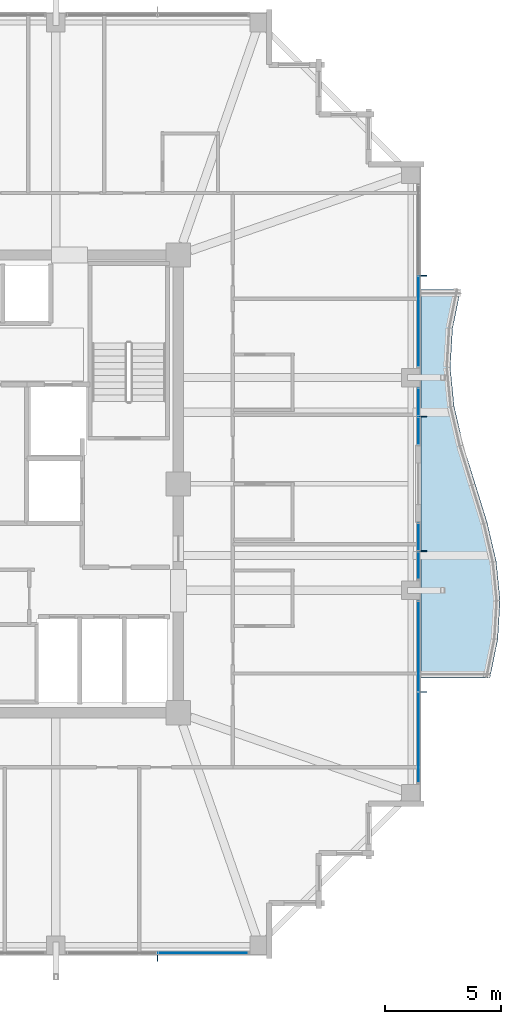
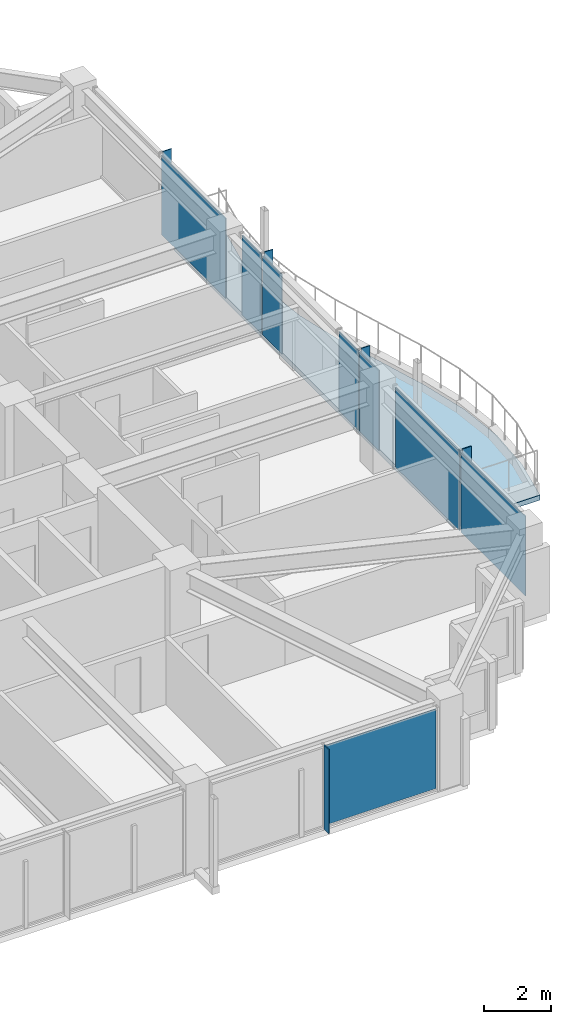
# One storey, part 26 of 35: 13 plates, 1 slab, 5 elements without a shape of their own.
"""IFC4 building model written with IfcOpenShell, lengths in metres."""

import ifcopenshell
import ifcopenshell.guid

model = None  # the IFC model being written
_history = None  # IfcOwnerHistory: only IFC2X3 demands one
_inside = {}  # id of a spatial element -> (the spatial element, [elements in it])
_under = {}  # id of a project, library or spatial element -> (it, [spatial elements below it])
_declared = {}  # id of a project -> (the project, [libraries it declares])
_typed = {}  # id of a type object -> (the type object, [elements of that type])
_made_of = {}  # id of a material, layer set ... -> (it, [elements and type objects made of it])


def new_model(schema):
    """Start an empty IFC model of exactly this schema.

    Asked for "IFC4X3", IfcOpenShell would pick the latest addendum, in which some entities
    have other attributes; the version numbers below select the first issue.
    IFC2X3 requires an IfcOwnerHistory on every rooted entity: one is made here for all.
    """
    global model, _history
    if schema == "IFC4X3":
        model = ifcopenshell.file(schema_version=(4, 3, 0, 0))
    else:
        model = ifcopenshell.file(schema=schema)
    _inside.clear()
    _under.clear()
    _declared.clear()
    _typed.clear()
    _made_of.clear()
    _history = None
    if model.schema == "IFC2X3":
        org = make("IfcOrganization", Name="unknown")
        user = make(
            "IfcPersonAndOrganization",
            ThePerson=make("IfcPerson", FamilyName="unknown"),
            TheOrganization=org,
        )
        app = make(
            "IfcApplication",
            ApplicationDeveloper=org,
            Version="unknown",
            ApplicationFullName="unknown",
            ApplicationIdentifier="unknown",
        )
        _history = make(
            "IfcOwnerHistory",
            OwningUser=user,
            OwningApplication=app,
            ChangeAction="ADDED",
            CreationDate=0,
        )
    return model


def make(cls, **values):
    """One entity of the class cls with the attributes given. An attribute that is None is left unset."""
    return model.create_entity(
        cls, **{name: value for name, value in values.items() if value is not None}
    )


def rooted(cls, **values):
    """An entity with a GlobalId (a new one), such as an element, a storey or a relation."""
    return make(cls, GlobalId=ifcopenshell.guid.new(), OwnerHistory=_history, **values)


def si_unit(unit_type, name, prefix=None):
    """IfcSIUnit, for example si_unit("LENGTHUNIT", "METRE", prefix="MILLI")."""
    return make("IfcSIUnit", UnitType=unit_type, Prefix=prefix, Name=name)


def assignment(units):
    """IfcUnitAssignment: the units of a project."""
    return None if units is None else make("IfcUnitAssignment", Units=units)


def point(xyz):
    """IfcCartesianPoint."""
    return None if xyz is None else make("IfcCartesianPoint", Coordinates=xyz)


def direction(xyz):
    """IfcDirection."""
    return None if xyz is None else make("IfcDirection", DirectionRatios=xyz)


def frame(location, z_axis=None, x_axis=None):
    """IfcAxis2Placement3D, a coordinate frame: its origin and axes. An axis left out is left unset."""
    return make(
        "IfcAxis2Placement3D",
        Location=point(location),
        Axis=direction(z_axis),
        RefDirection=direction(x_axis),
    )


def frame_2d(location, x_axis=None):
    """IfcAxis2Placement2D, a coordinate frame in the plane: its origin and x axis."""
    return make(
        "IfcAxis2Placement2D", Location=point(location), RefDirection=direction(x_axis)
    )


def origin():
    """The frame at (0, 0, 0) with its axes left unset."""
    return frame((0.0, 0.0, 0.0))


def origin_2d():
    """The frame at (0, 0) in the plane with its x axis left unset."""
    return frame_2d((0.0, 0.0))


def place(relative_to, where):
    """IfcLocalPlacement: puts the frame where relative to a parent placement (None: the world)."""
    return make(
        "IfcLocalPlacement", PlacementRelTo=relative_to, RelativePlacement=where
    )


def context(
    kind, dimensions, precision=None, world=None, true_north=None, identifier=None
):
    """IfcGeometricRepresentationContext, for example the 3D "Model" context."""
    return make(
        "IfcGeometricRepresentationContext",
        ContextIdentifier=identifier,
        ContextType=kind,
        CoordinateSpaceDimension=dimensions,
        Precision=precision,
        WorldCoordinateSystem=world,
        TrueNorth=true_north,
    )


def subcontext(parent, identifier, kind, view, scale=None):
    """IfcGeometricRepresentationSubContext, for example "Body" below "Model"."""
    return make(
        "IfcGeometricRepresentationSubContext",
        ContextIdentifier=identifier,
        ContextType=kind,
        ParentContext=parent,
        TargetScale=scale,
        TargetView=view,
    )


def project(units=None, contexts=None):
    """IfcProject with its units and contexts."""
    return rooted(
        "IfcProject",
        Name="project",
        RepresentationContexts=contexts,
        UnitsInContext=assignment(units),
    )


def spatial(cls, under=None, at=None, **own):
    """A site, building, storey or space (cls), placed at a placement, below another one or the project."""
    s = rooted(cls, ObjectPlacement=at, **own)
    if under is not None:
        _under.setdefault(under.id(), (under, []))[1].append(s)
    return s


def polyline(points):
    """IfcPolyline through the points."""
    return make("IfcPolyline", Points=[point(p) for p in points])


def profile(cls, at=None, kind="AREA", **sizes):
    """A parametric profile (cls). Its sizes go by their IFC names, for example OverallWidth=200.0."""
    return make(cls, ProfileType=kind, Position=at, **sizes)


def rectangle(**sizes):
    """IfcRectangleProfileDef."""
    return profile("IfcRectangleProfileDef", **sizes)


def outline(outer, holes=None, kind="AREA"):
    """IfcArbitraryClosedProfileDef: a profile drawn as a closed curve; with holes, ...WithVoids."""
    if holes is None:
        return make("IfcArbitraryClosedProfileDef", ProfileType=kind, OuterCurve=outer)
    return make(
        "IfcArbitraryProfileDefWithVoids",
        ProfileType=kind,
        OuterCurve=outer,
        InnerCurves=holes,
    )


def extrude(swept, where, along, depth):
    """IfcExtrudedAreaSolid: the profile swept, set in the frame where, extruded along a direction by depth."""
    return make(
        "IfcExtrudedAreaSolid",
        SweptArea=swept,
        Position=where,
        ExtrudedDirection=direction(along),
        Depth=depth,
    )


def shape(context_of_items, identifier, shape_type, items):
    """IfcShapeRepresentation: the items that make up one representation, for example the "Body"."""
    return make(
        "IfcShapeRepresentation",
        ContextOfItems=context_of_items,
        RepresentationIdentifier=identifier,
        RepresentationType=shape_type,
        Items=items,
    )


def material(Name=None, Category=None):
    """IfcMaterial."""
    return make("IfcMaterial", Name=Name, Category=Category)


def layer(
    of_material, thickness, ventilated=None, Name=None, Category=None, Priority=None
):
    """IfcMaterialLayer: one layer of a wall or slab, of a material (None: an air gap)."""
    return make(
        "IfcMaterialLayer",
        Material=of_material,
        LayerThickness=thickness,
        IsVentilated=ventilated,
        Name=Name,
        Category=Category,
        Priority=Priority,
    )


def layer_set(layers, Name=None):
    """IfcMaterialLayerSet."""
    return make("IfcMaterialLayerSet", MaterialLayers=layers, LayerSetName=Name)


def made_of(thing, what):
    """Note that an element or type object is made of a material, layer set ...; save() writes the relation."""
    if what is not None:
        _made_of.setdefault(what.id(), (what, []))[1].append(thing)
    return thing


def type_object(cls, material=None, **own):
    """A type object (cls), such as IfcWallType, which elements share."""
    return made_of(rooted(cls, **own), material)


def element(
    cls,
    number,
    at=None,
    inside=None,
    cuts=None,
    type_object=None,
    material=None,
    context=None,
    identifier="Body",
    shape_type=None,
    held_by="IfcProductDefinitionShape",
    body=None,
    shapes=None,
    **own,
):
    """One element of the class cls, such as IfcWall. Its Tag is "e" and its number.

    at: its placement. inside: the storey or other place that contains it. cuts: it is an
    opening in that element (IfcRelVoidsElement). A single representation is given by context,
    identifier, shape_type and body (its items); several are given by shapes. held_by: the class
    of the entity that holds the representations. save() writes the other relations.
    """
    e = rooted(cls, Tag="e%d" % number, ObjectPlacement=at, **own)
    if body is not None:
        shapes = [shape(context, identifier, shape_type, body)]
    if shapes is not None:
        e.Representation = make(held_by, Representations=shapes)
    if inside is not None:
        _inside.setdefault(inside.id(), (inside, []))[1].append(e)
    if cuts is not None:
        rooted(
            "IfcRelVoidsElement", RelatingBuildingElement=cuts, RelatedOpeningElement=e
        )
    if type_object is not None:
        _typed.setdefault(type_object.id(), (type_object, []))[1].append(e)
    return made_of(e, material)


def aggregate(whole, parts):
    """IfcRelAggregates: a whole, such as a stair, and the parts it consists of."""
    return rooted("IfcRelAggregates", RelatingObject=whole, RelatedObjects=parts)


def save(model, path):
    """Write the relations noted so far, then the file.

    IfcRelAggregates (storeys below a building ...), IfcRelContainedInSpatialStructure (elements
    in a storey), IfcRelDefinesByType, IfcRelAssociatesMaterial and IfcRelDeclares: one each for
    every whole, place, type object, material and project.
    """
    for whole, parts in _under.values():
        aggregate(whole, parts)
    for where, things in _inside.values():
        rooted(
            "IfcRelContainedInSpatialStructure",
            RelatedElements=things,
            RelatingStructure=where,
        )
    for kind, things in _typed.values():
        rooted("IfcRelDefinesByType", RelatedObjects=things, RelatingType=kind)
    for what, things in _made_of.values():
        rooted("IfcRelAssociatesMaterial", RelatedObjects=things, RelatingMaterial=what)
    for by, libraries in _declared.values():
        rooted("IfcRelDeclares", RelatingContext=by, RelatedDefinitions=libraries)
    model.write(path)


model = new_model("IFC4")

# Units and contexts
model_context = context("Model", 3, precision=1e-05, world=origin(), true_north=direction((0.0, 1.0)))
body_context = subcontext(model_context, "Body", "Model", "MODEL_VIEW")
ifc_project = project(units=[si_unit("LENGTHUNIT", "METRE"), si_unit("AREAUNIT", "SQUARE_METRE"), si_unit("VOLUMEUNIT", "CUBIC_METRE"), si_unit("PLANEANGLEUNIT", "RADIAN"), si_unit("MASSUNIT", "GRAM", prefix="KILO")], contexts=[model_context])

# Site, building, storey
site_placement = place(None, origin())
site = spatial("IfcSite", under=ifc_project, at=site_placement, CompositionType="ELEMENT")
building_placement = place(site_placement, origin())
building = spatial("IfcBuilding", under=site, at=building_placement, Name="Kolvaren Belvedere", CompositionType="ELEMENT")
storey_placement = place(building_placement, frame((0.0, 0.0, 216.300048828125)))
storey = spatial("IfcBuildingStorey", under=building, at=storey_placement, Name="L63", CompositionType="ELEMENT", Elevation=216.300048828125)

# Curtain wall, plate
ifc_material_1 = material(Name="Anodised pale-metal aluminium AA 6063-T6", Category="aluminium")
curtain_wall_type = type_object("IfcCurtainWallType", Name="CW-Z5-HIGH", PredefinedType="NOTDEFINED", material=ifc_material_1)
curtain_wall_1_placement = place(storey_placement, origin())
curtain_wall_1 = element("IfcCurtainWall", 1, at=curtain_wall_1_placement, inside=storey, type_object=curtain_wall_type, Name="L63 Unitised Curtain Wall FCW-L63-S-B1", PredefinedType="NOTDEFINED")
ifc_material_2 = material(Name="Low-iron triple insulated glass", Category="glass")
ifc_layer_1 = layer(ifc_material_2, 0.028076171875)
ifc_layer_set_1 = layer_set([ifc_layer_1], Name="Low-iron triple insulated glass")
plate_type_1 = type_object("IfcPlateType", Name="CW-PNL-VIS28", PredefinedType="CURTAIN_PANEL", material=ifc_layer_set_1)
plate_1_placement = place(storey_placement, frame((10.972412109375, -20.280029296875, 0.080078125), z_axis=(0.0, 0.0, 1.0), x_axis=(-1.0, 0.0, 0.0)))
plate_1 = element("IfcPlate", 2, at=plate_1_placement, type_object=plate_type_1, Name="FCW-L63-S-B1 Vision Glazing Panel 1", PredefinedType="CURTAIN_PANEL", context=body_context, shape_type="SweptSolid", body=[
    extrude(rectangle(XDim=3.864990234375, YDim=0.028076171875, at=origin_2d()), origin(), (0.0, 0.0, 1.0), 2.919921875),
])
aggregate(curtain_wall_1, [plate_1])

curtain_wall_2_placement = place(storey_placement, origin())
curtain_wall_2 = element("IfcCurtainWall", 3, at=curtain_wall_2_placement, inside=storey, type_object=curtain_wall_type, Name="L63 Unitised Curtain Wall FCW-L63-E1-B1", PredefinedType="NOTDEFINED")
plate_2_placement = place(storey_placement, frame((20.280029296875, 7.027587890625, 0.080078125), z_axis=(0.0, 0.0, 1.0), x_axis=(0.0, -1.0, 0.0)))
plate_2 = element("IfcPlate", 4, at=plate_2_placement, type_object=plate_type_1, Name="FCW-L63-E1-B1 Vision Glazing Panel 2", PredefinedType="CURTAIN_PANEL", context=body_context, shape_type="SweptSolid", body=[
    extrude(rectangle(XDim=3.864990234375, YDim=0.028076171875, at=origin_2d()), origin(), (0.0, 0.0, 1.0), 2.919921875),
])
aggregate(curtain_wall_2, [plate_2])

# Curtain wall, plates
curtain_wall_3_placement = place(storey_placement, origin())
curtain_wall_3 = element("IfcCurtainWall", 5, at=curtain_wall_3_placement, inside=storey, type_object=curtain_wall_type, Name="L63 Unitised Curtain Wall FCW-L63-E1-B2", PredefinedType="NOTDEFINED")
plate_3_placement = place(storey_placement, frame((20.280029296875, 3.52880859375, 0.080078125), z_axis=(0.0, 0.0, 1.0), x_axis=(0.0, -1.0, 0.0)))
plate_3 = element("IfcPlate", 6, at=plate_3_placement, type_object=plate_type_1, Name="FCW-L63-E1-B2 Vision Glazing Panel 1", PredefinedType="CURTAIN_PANEL", context=body_context, shape_type="SweptSolid", body=[
    extrude(rectangle(XDim=1.152587890625, YDim=0.028076171875, at=origin_2d()), origin(), (0.0, 0.0, 1.0), 2.919921875),
])
plate_4_placement = place(storey_placement, frame((20.280029296875, 2.296142578125, 0.080078125), z_axis=(0.0, 0.0, 1.0), x_axis=(0.0, -1.0, 0.0)))
plate_4 = element("IfcPlate", 7, at=plate_4_placement, type_object=plate_type_1, Name="FCW-L63-E1-B2 Vision Glazing Panel 2", PredefinedType="CURTAIN_PANEL", context=body_context, shape_type="SweptSolid", body=[
    extrude(rectangle(XDim=1.152587890625, YDim=0.028076171875, at=origin_2d()), origin(), (0.0, 0.0, 1.0), 2.919921875),
])
aggregate(curtain_wall_3, [plate_3, plate_4])

curtain_wall_4_placement = place(storey_placement, origin())
curtain_wall_4 = element("IfcCurtainWall", 8, at=curtain_wall_4_placement, inside=storey, type_object=curtain_wall_type, Name="L63 Unitised Curtain Wall FCW-L63-E2-B1", PredefinedType="NOTDEFINED")
plate_5_placement = place(storey_placement, frame((20.280029296875, -2.296142578125, 0.080078125), z_axis=(0.0, 0.0, 1.0), x_axis=(0.0, -1.0, 0.0)))
plate_5 = element("IfcPlate", 9, at=plate_5_placement, type_object=plate_type_1, Name="FCW-L63-E2-B1 Vision Glazing Panel 1", PredefinedType="CURTAIN_PANEL", context=body_context, shape_type="SweptSolid", body=[
    extrude(rectangle(XDim=1.152587890625, YDim=0.028076171875, at=origin_2d()), origin(), (0.0, 0.0, 1.0), 2.919921875),
])
plate_6_placement = place(storey_placement, frame((20.280029296875, -3.52880859375, 0.080078125), z_axis=(0.0, 0.0, 1.0), x_axis=(0.0, -1.0, 0.0)))
plate_6 = element("IfcPlate", 10, at=plate_6_placement, type_object=plate_type_1, Name="FCW-L63-E2-B1 Vision Glazing Panel 2", PredefinedType="CURTAIN_PANEL", context=body_context, shape_type="SweptSolid", body=[
    extrude(rectangle(XDim=1.152587890625, YDim=0.028076171875, at=origin_2d()), origin(), (0.0, 0.0, 1.0), 2.919921875),
])
aggregate(curtain_wall_4, [plate_5, plate_6])

curtain_wall_5_placement = place(storey_placement, origin())
curtain_wall_5 = element("IfcCurtainWall", 11, at=curtain_wall_5_placement, inside=storey, type_object=curtain_wall_type, Name="L63 Unitised Curtain Wall FCW-L63-E2-B2", PredefinedType="NOTDEFINED")
plate_7_placement = place(storey_placement, frame((20.280029296875, -7.027587890625, 0.080078125), z_axis=(0.0, 0.0, 1.0), x_axis=(0.0, -1.0, 0.0)))
plate_7 = element("IfcPlate", 12, at=plate_7_placement, type_object=plate_type_1, Name="FCW-L63-E2-B2 Vision Glazing Panel 1", PredefinedType="CURTAIN_PANEL", context=body_context, shape_type="SweptSolid", body=[
    extrude(rectangle(XDim=3.864990234375, YDim=0.028076171875, at=origin_2d()), origin(), (0.0, 0.0, 1.0), 2.919921875),
])
plate_8_placement = place(storey_placement, frame((20.280029296875, -10.972412109375, 0.080078125), z_axis=(0.0, 0.0, 1.0), x_axis=(0.0, -1.0, 0.0)))
plate_8 = element("IfcPlate", 13, at=plate_8_placement, type_object=plate_type_1, Name="FCW-L63-E2-B2 Vision Glazing Panel 2", PredefinedType="CURTAIN_PANEL", context=body_context, shape_type="SweptSolid", body=[
    extrude(rectangle(XDim=3.864990234375, YDim=0.028076171875, at=origin_2d()), origin(), (0.0, 0.0, 1.0), 2.919921875),
])
aggregate(curtain_wall_5, [plate_7, plate_8])

# Plates
ifc_material_3 = material(Name="Anodised pale-metal aluminium AA 6063-T6", Category="aluminium")
ifc_layer_2 = layer(ifc_material_3, 0.030029296875)
ifc_layer_set_2 = layer_set([ifc_layer_2], Name="Anodised pale-metal aluminium AA 6063-T6")
plate_type_2 = type_object("IfcPlateType", Name="FIN-VERT-300", PredefinedType="USERDEFINED", material=ifc_layer_set_2)
for number, where, z_axis, x_axis, name in (
    (14, (9.0, -20.489990234375, 0.0), (0.0, 0.0, 1.0), (0.0, 1.0, 0.0), "L63 Pale-Metal Vertical Shading Fin FCW-L63-S-B1-1"),
    (15, (20.489990234375, 9.0, 0.0), (0.0, 0.0, 1.0), (1.0, 0.0, 0.0), "L63 Pale-Metal Vertical Shading Fin FCW-L63-E1-B1-1"),
    (16, (20.489990234375, 2.91259765625, 0.0), (0.0, 0.0, 1.0), (1.0, 0.0, 0.0), "L63 Pale-Metal Vertical Shading Fin FCW-L63-E1-B2-1"),
    (17, (20.489990234375, -2.91259765625, 0.0), (0.0, 0.0, 1.0), (1.0, 0.0, 0.0), "L63 Pale-Metal Vertical Shading Fin FCW-L63-E2-B1-1"),
    (18, (20.489990234375, -9.0, 0.0), (0.0, 0.0, 1.0), (1.0, 0.0, 0.0), "L63 Pale-Metal Vertical Shading Fin FCW-L63-E2-B2-1"),
):
    element("IfcPlate", number, at=place(storey_placement, frame(where, z_axis=z_axis, x_axis=x_axis)), inside=storey, type_object=plate_type_2, Name=name, ObjectType="VERTICAL FIN", PredefinedType="USERDEFINED", context=body_context, shape_type="SweptSolid", body=[
        extrude(rectangle(XDim=0.300048828125, YDim=0.030029296875, at=origin_2d()), origin(), (0.0, 0.0, 1.0), 3.080078125),
    ])

# Slab
ifc_material_4 = material(Name="Concrete C50/60", Category="concrete")
ifc_layer_3 = layer(ifc_material_4, 0.179931640625)
ifc_layer_set_3 = layer_set([ifc_layer_3], Name="Concrete C50/60")
slab_type = type_object("IfcSlabType", Name="SL-BAL-180", PredefinedType="FLOOR", material=ifc_layer_set_3)
slab_placement = place(storey_placement, frame((0.0, 0.0, -0.219970703125)))
element("IfcSlab", 19, at=slab_placement, inside=storey, type_object=slab_type, Name="L63 Planted Balcony BAL-E", PredefinedType="FLOOR", context=body_context, shape_type="SweptSolid", body=[
    extrude(outline(polyline([(23.374755859375, -8.39990234375), (23.71728515625, -6.719970703125), (23.820068359375, -5.0400390625), (23.65185546875, -3.360107421875), (23.26025390625, -1.679931640625), (22.739990234375, 0.0), (22.2197265625, 1.679931640625), (21.828125, 3.360107421875), (21.662109375, 5.0400390625), (21.7626953125, 6.719970703125), (22.105224609375, 8.39990234375), (20.39990234375, 8.39990234375), (20.39990234375, 6.719970703125), (20.39990234375, 5.0400390625), (20.39990234375, 3.360107421875), (20.39990234375, 1.679931640625), (20.39990234375, 0.0), (20.39990234375, -1.679931640625), (20.39990234375, -3.360107421875), (20.39990234375, -5.0400390625), (20.39990234375, -6.719970703125), (20.39990234375, -8.39990234375), (23.374755859375, -8.39990234375)])), origin(), (0.0, 0.0, 1.0), 0.179931640625),
])

save(model, "model.ifc")
